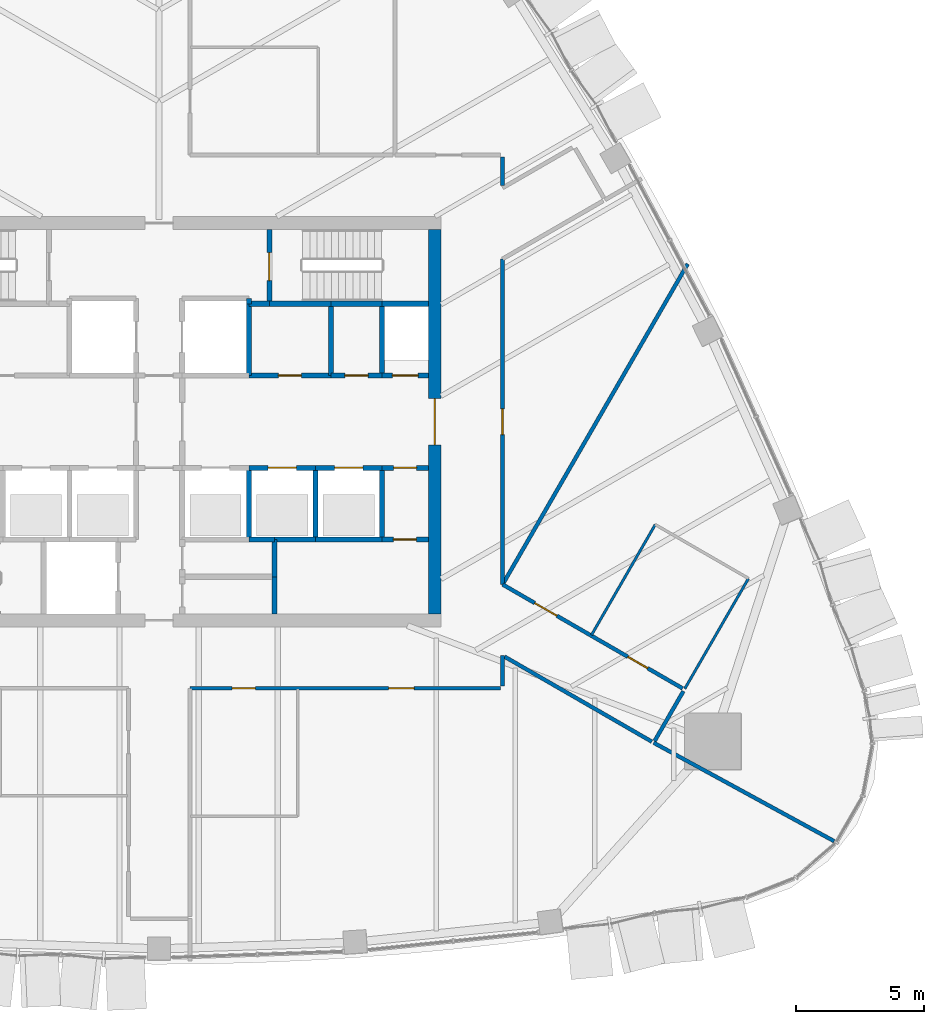
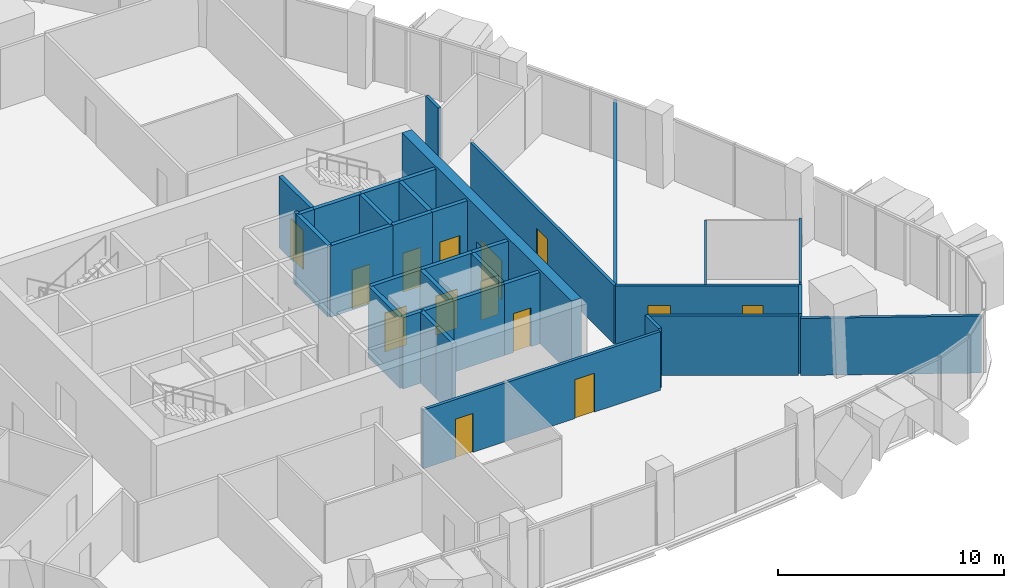
# One storey, part 13 of 18: 36 walls, 14 doors, 14 openings.
"""IFC4 building model written with IfcOpenShell, lengths in metres."""

from ifc_helpers import new_model, si_unit, direction, frame, frame_2d, origin, place, context, subcontext, project, spatial, rectangle, extrude, material, layer, layer_set, type_object, element, fill, save


model = new_model("IFC4")

# Units and contexts
model_context = context("Model", 3, precision=1e-05, world=origin(), true_north=direction((0.0, 1.0)))
body_context = subcontext(model_context, "Body", "Model", "MODEL_VIEW")
ifc_project = project(units=[si_unit("LENGTHUNIT", "METRE"), si_unit("AREAUNIT", "SQUARE_METRE"), si_unit("VOLUMEUNIT", "CUBIC_METRE"), si_unit("PLANEANGLEUNIT", "RADIAN"), si_unit("MASSUNIT", "GRAM", prefix="KILO")], contexts=[model_context])

# Site, building, storey
site_placement = place(None, origin())
site = spatial("IfcSite", under=ifc_project, at=site_placement, CompositionType="ELEMENT")
building_placement = place(site_placement, origin())
building = spatial("IfcBuilding", under=site, at=building_placement, Name="Sierra Prisma Convention Tower", CompositionType="ELEMENT")
storey_placement = place(building_placement, frame((0.0, 0.0, 255.0)))
storey = spatial("IfcBuildingStorey", under=building, at=storey_placement, Name="L57", CompositionType="ELEMENT", Elevation=255.0)

# Walls
ifc_material_1 = material(Name="Gypsum board partition", Category="gypsum")
ifc_layer_1 = layer(ifc_material_1, 0.10009765625)
ifc_layer_set_1 = layer_set([ifc_layer_1], Name="Bathroom partition 100")
wall_type_1 = type_object("IfcWallType", Name="Bathroom partition 100", PredefinedType="PARTITIONING", material=ifc_layer_set_1)
wall_1_placement = place(storey_placement, frame((16.868896484375, -8.319091796875, 0.0), z_axis=(0.0, 0.0, 1.0), x_axis=(0.500011595943, 0.86601870876, 0.0)))
element("IfcWall", 1, at=wall_1_placement, inside=storey, type_object=wall_type_1, Name="Partition L57 bath 9", PredefinedType="PARTITIONING", context=body_context, shape_type="SweptSolid", body=[
    extrude(rectangle(XDim=4.97021484375, YDim=0.10009765625, at=frame_2d((2.485107421875, 0.0))), origin(), (0.0, 0.0, 1.0), 3.1669921875),
])
wall_2_placement = place(storey_placement, frame((22.9912109375, -6.11474609375, 0.0), z_axis=(0.0, 0.0, 1.0), x_axis=(-0.500011595943, -0.86601870876, 0.0)))
element("IfcWall", 2, at=wall_2_placement, inside=storey, type_object=wall_type_1, Name="Partition L57 bath 11", PredefinedType="PARTITIONING", context=body_context, shape_type="SweptSolid", body=[
    extrude(rectangle(XDim=4.97021484375, YDim=0.10009765625, at=frame_2d((2.485107421875, 0.0))), origin(), (0.0, 0.0, 1.0), 3.29296875),
])
ifc_material_2 = material(Name="Concrete C30/37", Category="concrete")
ifc_layer_2 = layer(ifc_material_2, 0.199951171875)
ifc_layer_set_2 = layer_set([ifc_layer_2], Name="Core wall RC 200 C30/37")
wall_type_2 = type_object("IfcWallType", Name="Core wall RC 200 C30/37", PredefinedType="SOLIDWALL", material=ifc_layer_set_2)
wall_3_placement = place(storey_placement, frame((3.5, 4.60009765625, 0.0), z_axis=(0.0, 0.0, 1.0), x_axis=(0.0, 1.0, 0.0)))
element("IfcWall", 3, at=wall_3_placement, inside=storey, type_object=wall_type_2, Name="Core wall L57 40", PredefinedType="SOLIDWALL", context=body_context, shape_type="SweptSolid", body=[
    extrude(rectangle(XDim=0.199951171875, YDim=0.199951171875, at=frame_2d((0.10009765625, 0.0))), origin(), (0.0, 0.0, 1.0), 3.85009765625),
])
wall_4_placement = place(storey_placement, frame((4.5, -4.60009765625, 0.0), z_axis=(0.0, 0.0, 1.0), x_axis=(-1.0, 0.0, 0.0)))
element("IfcWall", 4, at=wall_4_placement, inside=storey, type_object=wall_type_2, Name="Core wall L57 43", PredefinedType="SOLIDWALL", context=body_context, shape_type="SweptSolid", body=[
    extrude(rectangle(XDim=1.0, YDim=0.199951171875, at=frame_2d((0.5, 0.0))), origin(), (0.0, 0.0, 1.0), 3.85009765625),
])
wall_5_placement = place(storey_placement, frame((3.5, -4.60009765625, 0.0), z_axis=(0.0, 0.0, 1.0), x_axis=(0.0, 1.0, 0.0)))
element("IfcWall", 5, at=wall_5_placement, inside=storey, type_object=wall_type_2, Name="Core wall L57 44", PredefinedType="SOLIDWALL", context=body_context, shape_type="SweptSolid", body=[
    extrude(rectangle(XDim=2.800048828125, YDim=0.199951171875, at=frame_2d((1.39990234375, 0.0))), origin(), (0.0, 0.0, 1.0), 3.85009765625),
])

# Wall, opening, door
wall_6_placement = place(storey_placement, frame((3.5, -1.800048828125, 0.0), z_axis=(0.0, 0.0, 1.0), x_axis=(1.0, 0.0, 0.0)))
wall_6 = element("IfcWall", 6, at=wall_6_placement, inside=storey, type_object=wall_type_2, Name="Core wall L57 45", PredefinedType="SOLIDWALL", context=body_context, shape_type="SweptSolid", body=[
    extrude(rectangle(XDim=2.60009765625, YDim=0.199951171875, at=frame_2d((1.300048828125, 0.0))), origin(), (0.0, 0.0, 1.0), 3.85009765625),
])
opening_1_placement = place(wall_6_placement, frame((0.75, 0.0, 0.0)))
opening_1 = element("IfcOpeningElement", 7, at=opening_1_placement, cuts=wall_6, Name="Opening L57-D005", PredefinedType="OPENING", context=body_context, shape_type="SweptSolid", body=[
    extrude(rectangle(XDim=1.10009765625, YDim=2.10009765625, at=frame_2d((0.550048828125, 1.050048828125))), frame((0.0, 0.10009765625, 0.0), z_axis=(0.0, -1.0, 0.0), x_axis=(1.0, 0.0, 0.0)), (0.0, 0.0, 1.0), 0.199951171875),
])
ifc_material_3 = material(Name="Steel fire door leaf", Category="steel")
door_type_1 = type_object("IfcDoorType", Name="Door 1100x2100 EI 90 sliding lift landing", OperationType="SLIDING_TO_LEFT", PredefinedType="DOOR", material=ifc_material_3)
door_1_placement = place(opening_1_placement, origin())
door_1 = element("IfcDoor", 8, at=door_1_placement, inside=storey, type_object=door_type_1, Name="Door L57 20", OperationType="SLIDING_TO_RIGHT", OverallHeight=2.10009765625, OverallWidth=1.10009765625, PredefinedType="DOOR", context=body_context, shape_type="SweptSolid", body=[
    extrude(rectangle(XDim=1.10009765625, YDim=2.10009765625, at=frame_2d((0.550048828125, 1.050048828125))), frame((0.0, 0.02490234375, 0.0), z_axis=(0.0, -1.0, 0.0), x_axis=(1.0, 0.0, 0.0)), (0.0, 0.0, 1.0), 0.050048828125),
])
fill(opening_1, door_1)

wall_7_placement = place(storey_placement, frame((3.5, 1.800048828125, 0.0), z_axis=(0.0, 0.0, 1.0), x_axis=(1.0, 0.0, 0.0)))
wall_7 = element("IfcWall", 9, at=wall_7_placement, inside=storey, type_object=wall_type_2, Name="Core wall L57 46", PredefinedType="SOLIDWALL", context=body_context, shape_type="SweptSolid", body=[
    extrude(rectangle(XDim=3.199951171875, YDim=0.199951171875, at=frame_2d((1.60009765625, 0.0))), origin(), (0.0, 0.0, 1.0), 3.85009765625),
])
opening_2_placement = place(wall_7_placement, frame((1.14990234375, 0.0, 0.0)))
opening_2 = element("IfcOpeningElement", 10, at=opening_2_placement, cuts=wall_7, Name="Opening L57-D020", PredefinedType="OPENING", context=body_context, shape_type="SweptSolid", body=[
    extrude(rectangle(XDim=0.89990234375, YDim=2.10009765625, at=frame_2d((0.449951171875, 1.050048828125))), frame((0.0, 0.10009765625, 0.0), z_axis=(0.0, -1.0, 0.0), x_axis=(1.0, 0.0, 0.0)), (0.0, 0.0, 1.0), 0.199951171875),
])
ifc_material_4 = material(Name="Steel fire door leaf", Category="steel")
door_type_2 = type_object("IfcDoorType", Name="Door 900x2100 FD30S", OperationType="SINGLE_SWING_LEFT", PredefinedType="DOOR", material=ifc_material_4)
door_2_placement = place(opening_2_placement, origin())
door_2 = element("IfcDoor", 11, at=door_2_placement, inside=storey, type_object=door_type_2, Name="Door L57 35", OperationType="SINGLE_SWING_RIGHT", OverallHeight=2.10009765625, OverallWidth=0.89990234375, PredefinedType="DOOR", context=body_context, shape_type="SweptSolid", body=[
    extrude(rectangle(XDim=0.89990234375, YDim=2.10009765625, at=frame_2d((0.449951171875, 1.050048828125))), frame((0.0, 0.02490234375, 0.0), z_axis=(0.0, -1.0, 0.0), x_axis=(1.0, 0.0, 0.0)), (0.0, 0.0, 1.0), 0.050048828125),
])
fill(opening_2, door_2)

# Walls
wall_8_placement = place(storey_placement, frame((3.5, 4.60009765625, 0.0), z_axis=(0.0, 0.0, 1.0), x_axis=(0.0, -1.0, 0.0)))
element("IfcWall", 12, at=wall_8_placement, inside=storey, type_object=wall_type_2, Name="Core wall L57 47", PredefinedType="SOLIDWALL", context=body_context, shape_type="SweptSolid", body=[
    extrude(rectangle(XDim=2.800048828125, YDim=0.199951171875, at=frame_2d((1.39990234375, 0.0))), origin(), (0.0, 0.0, 1.0), 3.85009765625),
])
wall_9_placement = place(storey_placement, frame((4.300048828125, 4.60009765625, 0.0), z_axis=(0.0, 0.0, 1.0), x_axis=(-1.0, 0.0, 0.0)))
element("IfcWall", 13, at=wall_9_placement, inside=storey, type_object=wall_type_2, Name="Core wall L57 48", PredefinedType="SOLIDWALL", context=body_context, shape_type="SweptSolid", body=[
    extrude(rectangle(XDim=0.800048828125, YDim=0.199951171875, at=frame_2d((0.39990234375, 0.0))), origin(), (0.0, 0.0, 1.0), 3.85009765625),
])
wall_10_placement = place(storey_placement, frame((6.699951171875, 4.60009765625, 0.0), z_axis=(0.0, 0.0, 1.0), x_axis=(-1.0, 0.0, 0.0)))
element("IfcWall", 14, at=wall_10_placement, inside=storey, type_object=wall_type_2, Name="Core wall L57 49", PredefinedType="SOLIDWALL", context=body_context, shape_type="SweptSolid", body=[
    extrude(rectangle(XDim=2.39990234375, YDim=0.199951171875, at=frame_2d((1.199951171875, 0.0))), origin(), (0.0, 0.0, 1.0), 3.85009765625),
])

# Wall, opening, door
wall_11_placement = place(storey_placement, frame((4.300048828125, 7.5, 0.0), z_axis=(0.0, 0.0, 1.0), x_axis=(0.0, -1.0, 0.0)))
wall_11 = element("IfcWall", 15, at=wall_11_placement, inside=storey, type_object=wall_type_2, Name="Core wall L57 50", PredefinedType="SOLIDWALL", context=body_context, shape_type="SweptSolid", body=[
    extrude(rectangle(XDim=2.89990234375, YDim=0.199951171875, at=frame_2d((1.449951171875, 0.0))), origin(), (0.0, 0.0, 1.0), 3.85009765625),
])
opening_3_placement = place(wall_11_placement, frame((0.89990234375, 0.0, 0.0)))
opening_3 = element("IfcOpeningElement", 16, at=opening_3_placement, cuts=wall_11, Name="Opening L57-D019", PredefinedType="OPENING", context=body_context, shape_type="SweptSolid", body=[
    extrude(rectangle(XDim=1.10009765625, YDim=2.10009765625, at=frame_2d((0.550048828125, 1.050048828125))), frame((0.0, 0.10009765625, 0.0), z_axis=(0.0, -1.0, 0.0), x_axis=(1.0, 0.0, 0.0)), (0.0, 0.0, 1.0), 0.199951171875),
])
ifc_material_5 = material(Name="Steel fire door leaf", Category="steel")
door_type_3 = type_object("IfcDoorType", Name="Door 1100x2100 FD90S", OperationType="SINGLE_SWING_LEFT", PredefinedType="DOOR", material=ifc_material_5)
door_3_placement = place(opening_3_placement, origin())
door_3 = element("IfcDoor", 17, at=door_3_placement, inside=storey, type_object=door_type_3, Name="Door L57 34", OperationType="SINGLE_SWING_LEFT", OverallHeight=2.10009765625, OverallWidth=1.10009765625, PredefinedType="DOOR", context=body_context, shape_type="SweptSolid", body=[
    extrude(rectangle(XDim=1.10009765625, YDim=2.10009765625, at=frame_2d((0.550048828125, 1.050048828125))), frame((0.0, 0.02490234375, 0.0), z_axis=(0.0, -1.0, 0.0), x_axis=(1.0, 0.0, 0.0)), (0.0, 0.0, 1.0), 0.050048828125),
])
fill(opening_3, door_3)

# Walls
for number, where, z_axis, x_axis, name in (
    (18, (4.5, -6.050048828125, 0.0), (0.0, 0.0, 1.0), (0.0, -1.0, 0.0), "Core wall L57 51"),
    (19, (4.5, -4.60009765625, 0.0), (0.0, 0.0, 1.0), (0.0, -1.0, 0.0), "Core wall L57 52"),
):
    element("IfcWall", number, at=place(storey_placement, frame(where, z_axis=z_axis, x_axis=x_axis)), inside=storey, type_object=wall_type_2, Name=name, PredefinedType="SOLIDWALL", context=body_context, shape_type="SweptSolid", body=[
        extrude(rectangle(XDim=1.449951171875, YDim=0.199951171875, at=frame_2d((0.72509765625, 0.0))), origin(), (0.0, 0.0, 1.0), 3.85009765625),
    ])
wall_12_placement = place(storey_placement, frame((6.10009765625, -4.60009765625, 0.0), z_axis=(0.0, 0.0, 1.0), x_axis=(-1.0, 0.0, 0.0)))
element("IfcWall", 20, at=wall_12_placement, inside=storey, type_object=wall_type_2, Name="Core wall L57 53", PredefinedType="SOLIDWALL", context=body_context, shape_type="SweptSolid", body=[
    extrude(rectangle(XDim=1.60009765625, YDim=0.199951171875, at=frame_2d((0.800048828125, 0.0))), origin(), (0.0, 0.0, 1.0), 3.85009765625),
])
wall_13_placement = place(storey_placement, frame((8.699951171875, -4.60009765625, 0.0), z_axis=(0.0, 0.0, 1.0), x_axis=(-1.0, 0.0, 0.0)))
element("IfcWall", 21, at=wall_13_placement, inside=storey, type_object=wall_type_2, Name="Core wall L57 54", PredefinedType="SOLIDWALL", context=body_context, shape_type="SweptSolid", body=[
    extrude(rectangle(XDim=2.599853515625, YDim=0.199951171875, at=frame_2d((1.2998046875, 0.0))), origin(), (0.0, 0.0, 1.0), 3.85009765625),
])
wall_14_placement = place(storey_placement, frame((6.10009765625, -4.60009765625, 0.0), z_axis=(0.0, 0.0, 1.0), x_axis=(0.0, 1.0, 0.0)))
element("IfcWall", 22, at=wall_14_placement, inside=storey, type_object=wall_type_2, Name="Core wall L57 55", PredefinedType="SOLIDWALL", context=body_context, shape_type="SweptSolid", body=[
    extrude(rectangle(XDim=2.800048828125, YDim=0.199951171875, at=frame_2d((1.39990234375, 0.0))), origin(), (0.0, 0.0, 1.0), 3.85009765625),
])

# Wall, opening, door
wall_15_placement = place(storey_placement, frame((6.10009765625, -1.800048828125, 0.0), z_axis=(0.0, 0.0, 1.0), x_axis=(1.0, 0.0, 0.0)))
wall_15 = element("IfcWall", 23, at=wall_15_placement, inside=storey, type_object=wall_type_2, Name="Core wall L57 56", PredefinedType="SOLIDWALL", context=body_context, shape_type="SweptSolid", body=[
    extrude(rectangle(XDim=2.599853515625, YDim=0.199951171875, at=frame_2d((1.2998046875, 0.0))), origin(), (0.0, 0.0, 1.0), 3.85009765625),
])
opening_4_placement = place(wall_15_placement, frame((0.75, 0.0, 0.0)))
opening_4 = element("IfcOpeningElement", 24, at=opening_4_placement, cuts=wall_15, Name="Opening L57-D006", PredefinedType="OPENING", context=body_context, shape_type="SweptSolid", body=[
    extrude(rectangle(XDim=1.10009765625, YDim=2.10009765625, at=frame_2d((0.550048828125, 1.050048828125))), frame((0.0, 0.10009765625, 0.0), z_axis=(0.0, -1.0, 0.0), x_axis=(1.0, 0.0, 0.0)), (0.0, 0.0, 1.0), 0.199951171875),
])
door_4_placement = place(opening_4_placement, origin())
door_4 = element("IfcDoor", 25, at=door_4_placement, inside=storey, type_object=door_type_1, Name="Door L57 21", OperationType="SLIDING_TO_RIGHT", OverallHeight=2.10009765625, OverallWidth=1.10009765625, PredefinedType="DOOR", context=body_context, shape_type="SweptSolid", body=[
    extrude(rectangle(XDim=1.10009765625, YDim=2.10009765625, at=frame_2d((0.550048828125, 1.050048828125))), frame((0.0, 0.02490234375, 0.0), z_axis=(0.0, -1.0, 0.0), x_axis=(1.0, 0.0, 0.0)), (0.0, 0.0, 1.0), 0.050048828125),
])
fill(opening_4, door_4)

wall_16_placement = place(storey_placement, frame((6.699951171875, 1.800048828125, 0.0), z_axis=(0.0, 0.0, 1.0), x_axis=(1.0, 0.0, 0.0)))
wall_16 = element("IfcWall", 26, at=wall_16_placement, inside=storey, type_object=wall_type_2, Name="Core wall L57 57", PredefinedType="SOLIDWALL", context=body_context, shape_type="SweptSolid", body=[
    extrude(rectangle(XDim=2.0, YDim=0.199951171875, at=frame_2d((1.0, 0.0))), origin(), (0.0, 0.0, 1.0), 3.85009765625),
])
opening_5_placement = place(wall_16_placement, frame((0.550048828125, 0.0, 0.0)))
opening_5 = element("IfcOpeningElement", 27, at=opening_5_placement, cuts=wall_16, Name="Opening L57-D021", PredefinedType="OPENING", context=body_context, shape_type="SweptSolid", body=[
    extrude(rectangle(XDim=0.89990234375, YDim=2.10009765625, at=frame_2d((0.449951171875, 1.050048828125))), frame((0.0, 0.10009765625, 0.0), z_axis=(0.0, -1.0, 0.0), x_axis=(1.0, 0.0, 0.0)), (0.0, 0.0, 1.0), 0.199951171875),
])
door_5_placement = place(opening_5_placement, origin())
door_5 = element("IfcDoor", 28, at=door_5_placement, inside=storey, type_object=door_type_2, Name="Door L57 36", OperationType="SINGLE_SWING_RIGHT", OverallHeight=2.10009765625, OverallWidth=0.89990234375, PredefinedType="DOOR", context=body_context, shape_type="SweptSolid", body=[
    extrude(rectangle(XDim=0.89990234375, YDim=2.10009765625, at=frame_2d((0.449951171875, 1.050048828125))), frame((0.0, 0.02490234375, 0.0), z_axis=(0.0, -1.0, 0.0), x_axis=(1.0, 0.0, 0.0)), (0.0, 0.0, 1.0), 0.050048828125),
])
fill(opening_5, door_5)

# Walls
wall_17_placement = place(storey_placement, frame((6.699951171875, 1.800048828125, 0.0), z_axis=(0.0, 0.0, 1.0), x_axis=(0.0, 1.0, 0.0)))
element("IfcWall", 29, at=wall_17_placement, inside=storey, type_object=wall_type_2, Name="Core wall L57 58", PredefinedType="SOLIDWALL", context=body_context, shape_type="SweptSolid", body=[
    extrude(rectangle(XDim=2.800048828125, YDim=0.199951171875, at=frame_2d((1.39990234375, 0.0))), origin(), (0.0, 0.0, 1.0), 3.85009765625),
])
wall_18_placement = place(storey_placement, frame((8.699951171875, 4.60009765625, 0.0), z_axis=(0.0, 0.0, 1.0), x_axis=(-1.0, 0.0, 0.0)))
element("IfcWall", 30, at=wall_18_placement, inside=storey, type_object=wall_type_2, Name="Core wall L57 59", PredefinedType="SOLIDWALL", context=body_context, shape_type="SweptSolid", body=[
    extrude(rectangle(XDim=2.0, YDim=0.199951171875, at=frame_2d((1.0, 0.0))), origin(), (0.0, 0.0, 1.0), 3.85009765625),
])

# Wall, opening, door
wall_19_placement = place(storey_placement, frame((10.5, -4.60009765625, 0.0), z_axis=(0.0, 0.0, 1.0), x_axis=(-1.0, 0.0, 0.0)))
wall_19 = element("IfcWall", 31, at=wall_19_placement, inside=storey, type_object=wall_type_2, Name="Core wall L57 60", PredefinedType="SOLIDWALL", context=body_context, shape_type="SweptSolid", body=[
    extrude(rectangle(XDim=1.800048828125, YDim=0.199951171875, at=frame_2d((0.89990234375, 0.0))), origin(), (0.0, 0.0, 1.0), 3.85009765625),
])
opening_6_placement = place(wall_19_placement, frame((0.4599609375, 0.0, 0.0)))
opening_6 = element("IfcOpeningElement", 32, at=opening_6_placement, cuts=wall_19, Name="Opening L57-D023", PredefinedType="OPENING", context=body_context, shape_type="SweptSolid", body=[
    extrude(rectangle(XDim=0.89990234375, YDim=2.10009765625, at=frame_2d((0.449951171875, 1.050048828125))), frame((0.0, 0.10009765625, 0.0), z_axis=(0.0, -1.0, 0.0), x_axis=(1.0, 0.0, 0.0)), (0.0, 0.0, 1.0), 0.199951171875),
])
door_6_placement = place(opening_6_placement, origin())
door_6 = element("IfcDoor", 33, at=door_6_placement, inside=storey, type_object=door_type_2, Name="Door L57 38", OperationType="SINGLE_SWING_RIGHT", OverallHeight=2.10009765625, OverallWidth=0.89990234375, PredefinedType="DOOR", context=body_context, shape_type="SweptSolid", body=[
    extrude(rectangle(XDim=0.89990234375, YDim=2.10009765625, at=frame_2d((0.449951171875, 1.050048828125))), frame((0.0, 0.02490234375, 0.0), z_axis=(0.0, -1.0, 0.0), x_axis=(1.0, 0.0, 0.0)), (0.0, 0.0, 1.0), 0.050048828125),
])
fill(opening_6, door_6)

# Wall
wall_20_placement = place(storey_placement, frame((8.699951171875, -1.800048828125, 0.0), z_axis=(0.0, 0.0, 1.0), x_axis=(0.0, -1.0, 0.0)))
element("IfcWall", 34, at=wall_20_placement, inside=storey, type_object=wall_type_2, Name="Core wall L57 61", PredefinedType="SOLIDWALL", context=body_context, shape_type="SweptSolid", body=[
    extrude(rectangle(XDim=2.800048828125, YDim=0.199951171875, at=frame_2d((1.39990234375, 0.0))), origin(), (0.0, 0.0, 1.0), 3.85009765625),
])

# Wall, opening, door
wall_21_placement = place(storey_placement, frame((8.699951171875, -1.800048828125, 0.0), z_axis=(0.0, 0.0, 1.0), x_axis=(1.0, 0.0, 0.0)))
wall_21 = element("IfcWall", 35, at=wall_21_placement, inside=storey, type_object=wall_type_2, Name="Core wall L57 62", PredefinedType="SOLIDWALL", context=body_context, shape_type="SweptSolid", body=[
    extrude(rectangle(XDim=1.800048828125, YDim=0.199951171875, at=frame_2d((0.89990234375, 0.0))), origin(), (0.0, 0.0, 1.0), 3.85009765625),
])
opening_7_placement = place(wall_21_placement, frame((0.449951171875, 0.0, 0.0)))
opening_7 = element("IfcOpeningElement", 36, at=opening_7_placement, cuts=wall_21, Name="Opening L57-D024", PredefinedType="OPENING", context=body_context, shape_type="SweptSolid", body=[
    extrude(rectangle(XDim=0.89990234375, YDim=2.10009765625, at=frame_2d((0.449951171875, 1.050048828125))), frame((0.0, 0.10009765625, 0.0), z_axis=(0.0, -1.0, 0.0), x_axis=(1.0, 0.0, 0.0)), (0.0, 0.0, 1.0), 0.199951171875),
])
door_7_placement = place(opening_7_placement, origin())
door_7 = element("IfcDoor", 37, at=door_7_placement, inside=storey, type_object=door_type_2, Name="Door L57 39", OperationType="SINGLE_SWING_LEFT", OverallHeight=2.10009765625, OverallWidth=0.89990234375, PredefinedType="DOOR", context=body_context, shape_type="SweptSolid", body=[
    extrude(rectangle(XDim=0.89990234375, YDim=2.10009765625, at=frame_2d((0.449951171875, 1.050048828125))), frame((0.0, 0.02490234375, 0.0), z_axis=(0.0, -1.0, 0.0), x_axis=(1.0, 0.0, 0.0)), (0.0, 0.0, 1.0), 0.050048828125),
])
fill(opening_7, door_7)

wall_22_placement = place(storey_placement, frame((10.5, 1.800048828125, 0.0), z_axis=(0.0, 0.0, 1.0), x_axis=(-1.0, 0.0, 0.0)))
wall_22 = element("IfcWall", 38, at=wall_22_placement, inside=storey, type_object=wall_type_2, Name="Core wall L57 63", PredefinedType="SOLIDWALL", context=body_context, shape_type="SweptSolid", body=[
    extrude(rectangle(XDim=1.800048828125, YDim=0.199951171875, at=frame_2d((0.89990234375, 0.0))), origin(), (0.0, 0.0, 1.0), 3.85009765625),
])
opening_8_placement = place(wall_22_placement, frame((0.39990234375, 0.0, 0.0)))
opening_8 = element("IfcOpeningElement", 39, at=opening_8_placement, cuts=wall_22, Name="Opening L57-D016", PredefinedType="OPENING", context=body_context, shape_type="SweptSolid", body=[
    extrude(rectangle(XDim=1.0, YDim=2.10009765625, at=frame_2d((0.5, 1.050048828125))), frame((0.0, 0.10009765625, 0.0), z_axis=(0.0, -1.0, 0.0), x_axis=(1.0, 0.0, 0.0)), (0.0, 0.0, 1.0), 0.199951171875),
])
ifc_material_6 = material(Name="Steel fire door leaf", Category="steel")
door_type_4 = type_object("IfcDoorType", Name="Door 1000x2100 FD60S", OperationType="SINGLE_SWING_LEFT", PredefinedType="DOOR", material=ifc_material_6)
door_8_placement = place(opening_8_placement, origin())
door_8 = element("IfcDoor", 40, at=door_8_placement, inside=storey, type_object=door_type_4, Name="Door L57 31", OperationType="SINGLE_SWING_LEFT", OverallHeight=2.10009765625, OverallWidth=1.0, PredefinedType="DOOR", context=body_context, shape_type="SweptSolid", body=[
    extrude(rectangle(XDim=1.0, YDim=2.10009765625, at=frame_2d((0.5, 1.050048828125))), frame((0.0, 0.02490234375, 0.0), z_axis=(0.0, -1.0, 0.0), x_axis=(1.0, 0.0, 0.0)), (0.0, 0.0, 1.0), 0.050048828125),
])
fill(opening_8, door_8)

# Walls
wall_23_placement = place(storey_placement, frame((8.699951171875, 1.800048828125, 0.0), z_axis=(0.0, 0.0, 1.0), x_axis=(0.0, 1.0, 0.0)))
element("IfcWall", 41, at=wall_23_placement, inside=storey, type_object=wall_type_2, Name="Core wall L57 64", PredefinedType="SOLIDWALL", context=body_context, shape_type="SweptSolid", body=[
    extrude(rectangle(XDim=2.800048828125, YDim=0.199951171875, at=frame_2d((1.39990234375, 0.0))), origin(), (0.0, 0.0, 1.0), 3.85009765625),
])
wall_24_placement = place(storey_placement, frame((10.5, 4.60009765625, 0.0), z_axis=(0.0, 0.0, 1.0), x_axis=(-1.0, 0.0, 0.0)))
element("IfcWall", 42, at=wall_24_placement, inside=storey, type_object=wall_type_2, Name="Core wall L57 65", PredefinedType="SOLIDWALL", context=body_context, shape_type="SweptSolid", body=[
    extrude(rectangle(XDim=1.800048828125, YDim=0.199951171875, at=frame_2d((0.89990234375, 0.0))), origin(), (0.0, 0.0, 1.0), 3.85009765625),
])

# Wall, opening, door
ifc_material_7 = material(Name="Concrete C50/60", Category="concrete")
ifc_layer_3 = layer(ifc_material_7, 0.5)
ifc_layer_set_3 = layer_set([ifc_layer_3], Name="Core wall RC 500 C50/60")
wall_type_3 = type_object("IfcWallType", Name="Core wall RC 500 C50/60", PredefinedType="SHEAR", material=ifc_layer_set_3)
wall_25_placement = place(storey_placement, frame((10.75, -7.5, 0.0), z_axis=(0.0, 0.0, 1.0), x_axis=(0.0, 1.0, 0.0)))
wall_25 = element("IfcWall", 43, at=wall_25_placement, inside=storey, type_object=wall_type_3, Name="Core wall E L57", PredefinedType="SHEAR", context=body_context, shape_type="SweptSolid", body=[
    extrude(rectangle(XDim=15.0, YDim=0.5, at=frame_2d((7.5, 0.0))), origin(), (0.0, 0.0, 1.0), 4.0),
])
opening_9_placement = place(wall_25_placement, frame((6.60009765625, 0.0, 0.0)))
opening_9 = element("IfcOpeningElement", 44, at=opening_9_placement, cuts=wall_25, Name="Opening L57-D042", PredefinedType="OPENING", context=body_context, shape_type="SweptSolid", body=[
    extrude(rectangle(XDim=1.800048828125, YDim=2.10009765625, at=frame_2d((0.89990234375, 1.050048828125))), frame((0.0, 0.25, 0.0), z_axis=(0.0, -1.0, 0.0), x_axis=(1.0, 0.0, 0.0)), (0.0, 0.0, 1.0), 0.5),
])
ifc_material_8 = material(Name="Steel fire door leaf", Category="steel")
door_type_5 = type_object("IfcDoorType", Name="Door 1800x2100 FD60S", OperationType="DOUBLE_DOOR_SINGLE_SWING", PredefinedType="DOOR", material=ifc_material_8)
door_9_placement = place(opening_9_placement, origin())
door_9 = element("IfcDoor", 45, at=door_9_placement, inside=storey, type_object=door_type_5, Name="Door L57 43", OperationType="DOUBLE_DOOR_SINGLE_SWING", OverallHeight=2.10009765625, OverallWidth=1.800048828125, PredefinedType="DOOR", context=body_context, shape_type="SweptSolid", body=[
    extrude(rectangle(XDim=1.800048828125, YDim=2.10009765625, at=frame_2d((0.89990234375, 1.050048828125))), frame((0.0, 0.02490234375, 0.0), z_axis=(0.0, -1.0, 0.0), x_axis=(1.0, 0.0, 0.0)), (0.0, 0.0, 1.0), 0.050048828125),
])
fill(opening_9, door_9)

# Wall, openings, doors
ifc_material_9 = material(Name="Gypsum board partition", Category="gypsum")
ifc_layer_4 = layer(ifc_material_9, 0.14990234375)
ifc_layer_set_4 = layer_set([ifc_layer_4], Name="Corridor wall 150 gypsum EI 60")
wall_type_4 = type_object("IfcWallType", Name="Corridor wall 150 gypsum EI 60", PredefinedType="PARTITIONING", material=ifc_layer_set_4)
wall_26_placement = place(storey_placement, frame((1.199951171875, -10.39990234375, 0.0), z_axis=(0.0, 0.0, 1.0), x_axis=(1.0, 0.0, 0.0)))
wall_26 = element("IfcWall", 46, at=wall_26_placement, inside=storey, type_object=wall_type_4, Name="Partition L57 corr 15", PredefinedType="PARTITIONING", context=body_context, shape_type="SweptSolid", body=[
    extrude(rectangle(XDim=12.1201171875, YDim=0.14990234375, at=frame_2d((6.06005859375, 0.0))), origin(), (0.0, 0.0, 1.0), 3.1669921875),
])
opening_10_placement = place(wall_26_placement, frame((1.64990234375, 0.0, 0.0)))
opening_10 = element("IfcOpeningElement", 47, at=opening_10_placement, cuts=wall_26, Name="Opening L57-D038", PredefinedType="OPENING", context=body_context, shape_type="SweptSolid", body=[
    extrude(rectangle(XDim=0.89990234375, YDim=2.10009765625, at=frame_2d((0.449951171875, 1.050048828125))), frame((0.0, 0.074951171875, 0.0), z_axis=(0.0, -1.0, 0.0), x_axis=(1.0, 0.0, 0.0)), (0.0, 0.0, 1.0), 0.14990234375),
])
opening_11_placement = place(wall_26_placement, frame((7.75, 0.0, 0.0)))
opening_11 = element("IfcOpeningElement", 48, at=opening_11_placement, cuts=wall_26, Name="Opening L57-D039", PredefinedType="OPENING", context=body_context, shape_type="SweptSolid", body=[
    extrude(rectangle(XDim=1.0, YDim=2.10009765625, at=frame_2d((0.5, 1.050048828125))), frame((0.0, 0.074951171875, 0.0), z_axis=(0.0, -1.0, 0.0), x_axis=(1.0, 0.0, 0.0)), (0.0, 0.0, 1.0), 0.14990234375),
])
ifc_material_10 = material(Name="Steel fire door leaf", Category="steel")
door_type_6 = type_object("IfcDoorType", Name="Door 1000x2100 FD30S", OperationType="SINGLE_SWING_LEFT", PredefinedType="DOOR", material=ifc_material_10)
door_10_placement = place(opening_11_placement, origin())
door_10 = element("IfcDoor", 49, at=door_10_placement, inside=storey, type_object=door_type_6, Name="Door L57 13", OperationType="SINGLE_SWING_RIGHT", OverallHeight=2.10009765625, OverallWidth=1.0, PredefinedType="DOOR", context=body_context, shape_type="SweptSolid", body=[
    extrude(rectangle(XDim=1.0, YDim=2.10009765625, at=frame_2d((0.5, 1.050048828125))), frame((0.0, 0.02490234375, 0.0), z_axis=(0.0, -1.0, 0.0), x_axis=(1.0, 0.0, 0.0)), (0.0, 0.0, 1.0), 0.050048828125),
])
fill(opening_11, door_10)
door_11_placement = place(opening_10_placement, origin())
door_11 = element("IfcDoor", 50, at=door_11_placement, inside=storey, type_object=door_type_2, Name="Door L57 12", OperationType="SINGLE_SWING_RIGHT", OverallHeight=2.10009765625, OverallWidth=0.89990234375, PredefinedType="DOOR", context=body_context, shape_type="SweptSolid", body=[
    extrude(rectangle(XDim=0.89990234375, YDim=2.10009765625, at=frame_2d((0.449951171875, 1.050048828125))), frame((0.0, 0.02490234375, 0.0), z_axis=(0.0, -1.0, 0.0), x_axis=(1.0, 0.0, 0.0)), (0.0, 0.0, 1.0), 0.050048828125),
])
fill(opening_10, door_11)

# Walls
wall_27_placement = place(storey_placement, frame((13.39990234375, -10.320068359375, 0.0), z_axis=(0.0, 0.0, 1.0), x_axis=(0.0, 1.0, 0.0)))
element("IfcWall", 51, at=wall_27_placement, inside=storey, type_object=wall_type_4, Name="Partition L57 corr 19", PredefinedType="PARTITIONING", context=body_context, shape_type="SweptSolid", body=[
    extrude(rectangle(XDim=1.197998046875, YDim=0.14990234375, at=frame_2d((0.59912109375, 0.0))), origin(), (0.0, 0.0, 1.0), 3.23291015625),
])
wall_28_placement = place(storey_placement, frame((13.479248046875, -9.16796875, 0.0), z_axis=(0.0, 0.0, 1.0), x_axis=(0.866032307377, -0.499988042436, 0.0)))
element("IfcWall", 52, at=wall_28_placement, inside=storey, type_object=wall_type_4, Name="Partition L57 corr 20", PredefinedType="PARTITIONING", context=body_context, shape_type="SweptSolid", body=[
    extrude(rectangle(XDim=6.631103515625, YDim=0.14990234375, at=frame_2d((3.3154296875, 0.0))), origin(), (0.0, 0.0, 1.0), 3.23291015625),
])

# Wall, opening, door
wall_29_placement = place(storey_placement, frame((13.39990234375, -6.350830078125, 0.0), z_axis=(0.0, 0.0, 1.0), x_axis=(0.0, 1.0, 0.0)))
wall_29 = element("IfcWall", 53, at=wall_29_placement, inside=storey, type_object=wall_type_4, Name="Partition L57 corr 21", PredefinedType="PARTITIONING", context=body_context, shape_type="SweptSolid", body=[
    extrude(rectangle(XDim=12.70166015625, YDim=0.14990234375, at=frame_2d((6.350830078125, 0.0))), origin(), (0.0, 0.0, 1.0), 3.1669921875),
])
opening_12_placement = place(wall_29_placement, frame((5.850830078125, 0.0, 0.0)))
opening_12 = element("IfcOpeningElement", 54, at=opening_12_placement, cuts=wall_29, Name="Opening L57-D027", PredefinedType="OPENING", context=body_context, shape_type="SweptSolid", body=[
    extrude(rectangle(XDim=1.0, YDim=2.10009765625, at=frame_2d((0.5, 1.050048828125))), frame((0.0, 0.074951171875, 0.0), z_axis=(0.0, -1.0, 0.0), x_axis=(1.0, 0.0, 0.0)), (0.0, 0.0, 1.0), 0.14990234375),
])
door_12_placement = place(opening_12_placement, origin())
door_12 = element("IfcDoor", 55, at=door_12_placement, inside=storey, type_object=door_type_6, Name="Door L57 1", OperationType="SINGLE_SWING_RIGHT", OverallHeight=2.10009765625, OverallWidth=1.0, PredefinedType="DOOR", context=body_context, shape_type="SweptSolid", body=[
    extrude(rectangle(XDim=1.0, YDim=2.10009765625, at=frame_2d((0.5, 1.050048828125))), frame((0.0, 0.02490234375, 0.0), z_axis=(0.0, -1.0, 0.0), x_axis=(1.0, 0.0, 0.0)), (0.0, 0.0, 1.0), 0.050048828125),
])
fill(opening_12, door_12)

# Wall, openings, doors
wall_30_placement = place(storey_placement, frame((20.421875, -10.40478515625, 0.0), z_axis=(0.0, 0.0, 1.0), x_axis=(-0.866035161949, 0.499983097982, 0.0)))
wall_30 = element("IfcWall", 56, at=wall_30_placement, inside=storey, type_object=wall_type_4, Name="Partition L57 corr 23", PredefinedType="PARTITIONING", context=body_context, shape_type="SweptSolid", body=[
    extrude(rectangle(XDim=8.108154296875, YDim=0.14990234375, at=frame_2d((4.05419921875, 0.0))), origin(), (0.0, 0.0, 1.0), 3.1669921875),
])
opening_13_placement = place(wall_30_placement, frame((1.570068359375, 0.0, 0.0)))
opening_13 = element("IfcOpeningElement", 57, at=opening_13_placement, cuts=wall_30, Name="Opening L57-D040", PredefinedType="OPENING", context=body_context, shape_type="SweptSolid", body=[
    extrude(rectangle(XDim=0.89990234375, YDim=2.10009765625, at=frame_2d((0.449951171875, 1.050048828125))), frame((0.0, 0.074951171875, 0.0), z_axis=(0.0, -1.0, 0.0), x_axis=(1.0, 0.0, 0.0)), (0.0, 0.0, 1.0), 0.14990234375),
])
opening_14_placement = place(wall_30_placement, frame((5.6640625, 0.0, 0.0)))
opening_14 = element("IfcOpeningElement", 58, at=opening_14_placement, cuts=wall_30, Name="Opening L57-D041", PredefinedType="OPENING", context=body_context, shape_type="SweptSolid", body=[
    extrude(rectangle(XDim=1.0, YDim=2.10009765625, at=frame_2d((0.5, 1.050048828125))), frame((0.0, 0.074951171875, 0.0), z_axis=(0.0, -1.0, 0.0), x_axis=(1.0, 0.0, 0.0)), (0.0, 0.0, 1.0), 0.14990234375),
])
door_13_placement = place(opening_14_placement, origin())
door_13 = element("IfcDoor", 59, at=door_13_placement, inside=storey, type_object=door_type_6, Name="Door L57 15", OperationType="SINGLE_SWING_RIGHT", OverallHeight=2.10009765625, OverallWidth=1.0, PredefinedType="DOOR", context=body_context, shape_type="SweptSolid", body=[
    extrude(rectangle(XDim=1.0, YDim=2.10009765625, at=frame_2d((0.5, 1.050048828125))), frame((0.0, 0.02490234375, 0.0), z_axis=(0.0, -1.0, 0.0), x_axis=(1.0, 0.0, 0.0)), (0.0, 0.0, 1.0), 0.050048828125),
])
fill(opening_14, door_13)
door_14_placement = place(opening_13_placement, origin())
door_14 = element("IfcDoor", 60, at=door_14_placement, inside=storey, type_object=door_type_2, Name="Door L57 14", OperationType="SINGLE_SWING_RIGHT", OverallHeight=2.10009765625, OverallWidth=0.89990234375, PredefinedType="DOOR", context=body_context, shape_type="SweptSolid", body=[
    extrude(rectangle(XDim=0.89990234375, YDim=2.10009765625, at=frame_2d((0.449951171875, 1.050048828125))), frame((0.0, 0.02490234375, 0.0), z_axis=(0.0, -1.0, 0.0), x_axis=(1.0, 0.0, 0.0)), (0.0, 0.0, 1.0), 0.050048828125),
])
fill(opening_13, door_14)

# Walls
wall_31_placement = place(storey_placement, frame((13.39990234375, 9.213623046875, 0.0), z_axis=(0.0, 0.0, 1.0), x_axis=(0.0, 1.0, 0.0)))
element("IfcWall", 61, at=wall_31_placement, inside=storey, type_object=wall_type_4, Name="Partition L57 corr 25", PredefinedType="PARTITIONING", context=body_context, shape_type="SweptSolid", body=[
    extrude(rectangle(XDim=1.1064453125, YDim=0.14990234375, at=frame_2d((0.55322265625, 0.0))), origin(), (0.0, 0.0, 1.0), 3.300048828125),
])
wall_32_placement = place(storey_placement, frame((19.331298828125, -12.4541015625, 0.0), z_axis=(0.0, 0.0, 1.0), x_axis=(0.49994888933, 0.866054910533, 0.0)))
element("IfcWall", 62, at=wall_32_placement, inside=storey, type_object=wall_type_4, Name="Partition L57 corr 27", PredefinedType="PARTITIONING", context=body_context, shape_type="SweptSolid", body=[
    extrude(rectangle(XDim=2.239990234375, YDim=0.14990234375, at=frame_2d((1.1201171875, 0.0))), origin(), (0.0, 0.0, 1.0), 3.23291015625),
])
ifc_material_11 = material(Name="Gypsum board partition", Category="gypsum")
ifc_layer_5 = layer(ifc_material_11, 0.14990234375)
ifc_layer_set_5 = layer_set([ifc_layer_5], Name="Party wall 150 gypsum")
wall_type_5 = type_object("IfcWallType", Name="Party wall 150 gypsum", PredefinedType="PARTITIONING", material=ifc_layer_set_5)
wall_33_placement = place(storey_placement, frame((20.61962890625, 6.154052734375, 0.0), z_axis=(0.0, 0.0, 1.0), x_axis=(-0.500001511722, -0.866024530989, 0.0)))
element("IfcWall", 63, at=wall_33_placement, inside=storey, type_object=wall_type_5, Name="Partition L57 party 10", PredefinedType="PARTITIONING", context=body_context, shape_type="SweptSolid", body=[
    extrude(rectangle(XDim=14.439453125, YDim=0.14990234375, at=frame_2d((7.2197265625, 0.0))), origin(), (0.0, 0.0, 1.0), 3.083984375),
])
wall_34_placement = place(storey_placement, frame((19.291259765625, -12.5234375, 0.0), z_axis=(0.0, 0.0, 1.0), x_axis=(0.877903714692, -0.478837203787, 0.0)))
element("IfcWall", 64, at=wall_34_placement, inside=storey, type_object=wall_type_5, Name="Partition L57 party 12", PredefinedType="PARTITIONING", context=body_context, shape_type="SweptSolid", body=[
    extrude(rectangle(XDim=8.021728515625, YDim=0.14990234375, at=frame_2d((4.0107421875, 0.0))), origin(), (0.0, 0.0, 1.0), 3.083984375),
])

save(model, "model.ifc")
